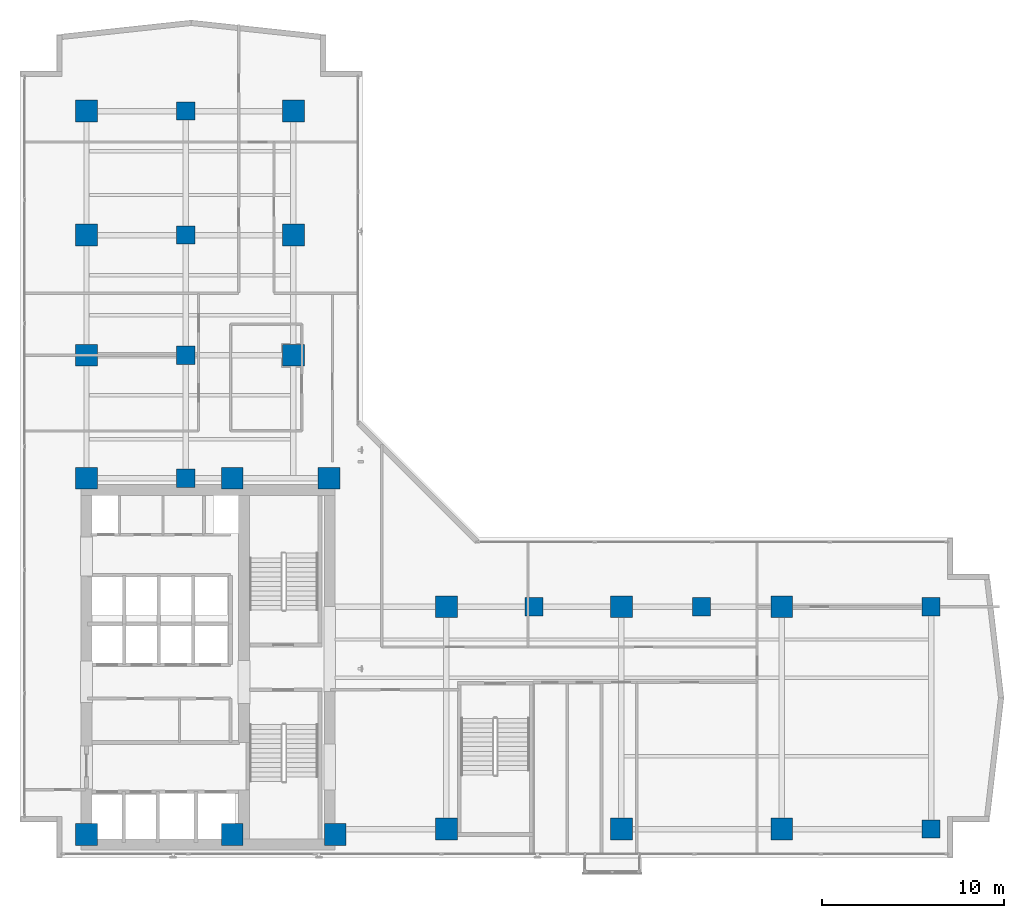
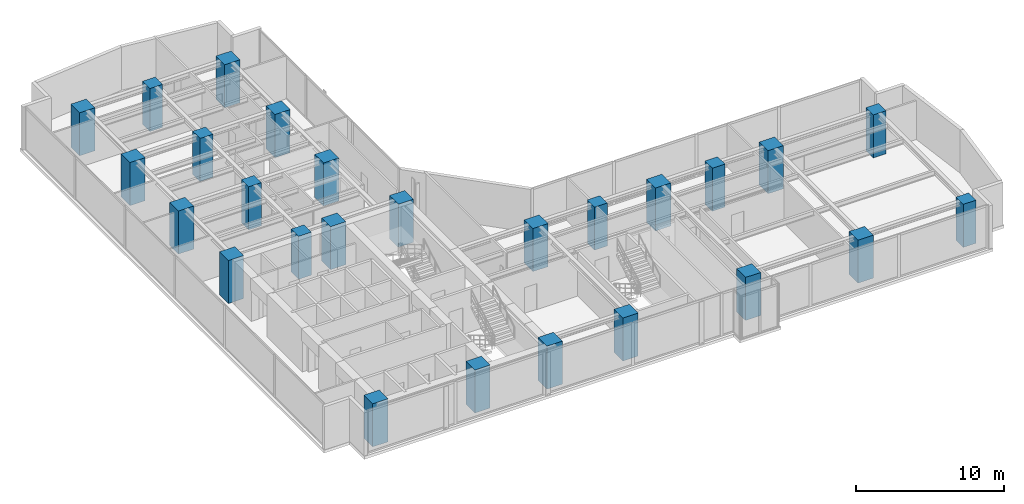
# One storey, part 1 of 27: 26 columns.
"""IFC4 building model written with IfcOpenShell, lengths in metres."""

import ifcopenshell
import ifcopenshell.guid

model = None  # the IFC model being written
_history = None  # IfcOwnerHistory: only IFC2X3 demands one
_inside = {}  # id of a spatial element -> (the spatial element, [elements in it])
_under = {}  # id of a project, library or spatial element -> (it, [spatial elements below it])
_declared = {}  # id of a project -> (the project, [libraries it declares])
_typed = {}  # id of a type object -> (the type object, [elements of that type])
_made_of = {}  # id of a material, layer set ... -> (it, [elements and type objects made of it])


def new_model(schema):
    """Start an empty IFC model of exactly this schema.

    Asked for "IFC4X3", IfcOpenShell would pick the latest addendum, in which some entities
    have other attributes; the version numbers below select the first issue.
    IFC2X3 requires an IfcOwnerHistory on every rooted entity: one is made here for all.
    """
    global model, _history
    if schema == "IFC4X3":
        model = ifcopenshell.file(schema_version=(4, 3, 0, 0))
    else:
        model = ifcopenshell.file(schema=schema)
    _inside.clear()
    _under.clear()
    _declared.clear()
    _typed.clear()
    _made_of.clear()
    _history = None
    if model.schema == "IFC2X3":
        org = make("IfcOrganization", Name="unknown")
        user = make(
            "IfcPersonAndOrganization",
            ThePerson=make("IfcPerson", FamilyName="unknown"),
            TheOrganization=org,
        )
        app = make(
            "IfcApplication",
            ApplicationDeveloper=org,
            Version="unknown",
            ApplicationFullName="unknown",
            ApplicationIdentifier="unknown",
        )
        _history = make(
            "IfcOwnerHistory",
            OwningUser=user,
            OwningApplication=app,
            ChangeAction="ADDED",
            CreationDate=0,
        )
    return model


def make(cls, **values):
    """One entity of the class cls with the attributes given. An attribute that is None is left unset."""
    return model.create_entity(
        cls, **{name: value for name, value in values.items() if value is not None}
    )


def rooted(cls, **values):
    """An entity with a GlobalId (a new one), such as an element, a storey or a relation."""
    return make(cls, GlobalId=ifcopenshell.guid.new(), OwnerHistory=_history, **values)


def si_unit(unit_type, name, prefix=None):
    """IfcSIUnit, for example si_unit("LENGTHUNIT", "METRE", prefix="MILLI")."""
    return make("IfcSIUnit", UnitType=unit_type, Prefix=prefix, Name=name)


def assignment(units):
    """IfcUnitAssignment: the units of a project."""
    return None if units is None else make("IfcUnitAssignment", Units=units)


def point(xyz):
    """IfcCartesianPoint."""
    return None if xyz is None else make("IfcCartesianPoint", Coordinates=xyz)


def direction(xyz):
    """IfcDirection."""
    return None if xyz is None else make("IfcDirection", DirectionRatios=xyz)


def frame(location, z_axis=None, x_axis=None):
    """IfcAxis2Placement3D, a coordinate frame: its origin and axes. An axis left out is left unset."""
    return make(
        "IfcAxis2Placement3D",
        Location=point(location),
        Axis=direction(z_axis),
        RefDirection=direction(x_axis),
    )


def frame_2d(location, x_axis=None):
    """IfcAxis2Placement2D, a coordinate frame in the plane: its origin and x axis."""
    return make(
        "IfcAxis2Placement2D", Location=point(location), RefDirection=direction(x_axis)
    )


def origin():
    """The frame at (0, 0, 0) with its axes left unset."""
    return frame((0.0, 0.0, 0.0))


def origin_2d():
    """The frame at (0, 0) in the plane with its x axis left unset."""
    return frame_2d((0.0, 0.0))


def place(relative_to, where):
    """IfcLocalPlacement: puts the frame where relative to a parent placement (None: the world)."""
    return make(
        "IfcLocalPlacement", PlacementRelTo=relative_to, RelativePlacement=where
    )


def context(
    kind, dimensions, precision=None, world=None, true_north=None, identifier=None
):
    """IfcGeometricRepresentationContext, for example the 3D "Model" context."""
    return make(
        "IfcGeometricRepresentationContext",
        ContextIdentifier=identifier,
        ContextType=kind,
        CoordinateSpaceDimension=dimensions,
        Precision=precision,
        WorldCoordinateSystem=world,
        TrueNorth=true_north,
    )


def subcontext(parent, identifier, kind, view, scale=None):
    """IfcGeometricRepresentationSubContext, for example "Body" below "Model"."""
    return make(
        "IfcGeometricRepresentationSubContext",
        ContextIdentifier=identifier,
        ContextType=kind,
        ParentContext=parent,
        TargetScale=scale,
        TargetView=view,
    )


def project(units=None, contexts=None):
    """IfcProject with its units and contexts."""
    return rooted(
        "IfcProject",
        Name="project",
        RepresentationContexts=contexts,
        UnitsInContext=assignment(units),
    )


def spatial(cls, under=None, at=None, **own):
    """A site, building, storey or space (cls), placed at a placement, below another one or the project."""
    s = rooted(cls, ObjectPlacement=at, **own)
    if under is not None:
        _under.setdefault(under.id(), (under, []))[1].append(s)
    return s


def profile(cls, at=None, kind="AREA", **sizes):
    """A parametric profile (cls). Its sizes go by their IFC names, for example OverallWidth=200.0."""
    return make(cls, ProfileType=kind, Position=at, **sizes)


def rectangle(**sizes):
    """IfcRectangleProfileDef."""
    return profile("IfcRectangleProfileDef", **sizes)


def extrude(swept, where, along, depth):
    """IfcExtrudedAreaSolid: the profile swept, set in the frame where, extruded along a direction by depth."""
    return make(
        "IfcExtrudedAreaSolid",
        SweptArea=swept,
        Position=where,
        ExtrudedDirection=direction(along),
        Depth=depth,
    )


def shape(context_of_items, identifier, shape_type, items):
    """IfcShapeRepresentation: the items that make up one representation, for example the "Body"."""
    return make(
        "IfcShapeRepresentation",
        ContextOfItems=context_of_items,
        RepresentationIdentifier=identifier,
        RepresentationType=shape_type,
        Items=items,
    )


def material(Name=None, Category=None):
    """IfcMaterial."""
    return make("IfcMaterial", Name=Name, Category=Category)


def material_profile(
    of_material, cross_section, Name=None, Category=None, Priority=None
):
    """IfcMaterialProfile: a cross section and its material."""
    return make(
        "IfcMaterialProfile",
        Name=Name,
        Material=of_material,
        Profile=cross_section,
        Priority=Priority,
        Category=Category,
    )


def profile_set(profiles, Name=None, composite=None):
    """IfcMaterialProfileSet."""
    return make(
        "IfcMaterialProfileSet",
        Name=Name,
        MaterialProfiles=profiles,
        CompositeProfile=composite,
    )


def made_of(thing, what):
    """Note that an element or type object is made of a material, layer set ...; save() writes the relation."""
    if what is not None:
        _made_of.setdefault(what.id(), (what, []))[1].append(thing)
    return thing


def type_object(cls, material=None, **own):
    """A type object (cls), such as IfcWallType, which elements share."""
    return made_of(rooted(cls, **own), material)


def element(
    cls,
    number,
    at=None,
    inside=None,
    cuts=None,
    type_object=None,
    material=None,
    context=None,
    identifier="Body",
    shape_type=None,
    held_by="IfcProductDefinitionShape",
    body=None,
    shapes=None,
    **own,
):
    """One element of the class cls, such as IfcWall. Its Tag is "e" and its number.

    at: its placement. inside: the storey or other place that contains it. cuts: it is an
    opening in that element (IfcRelVoidsElement). A single representation is given by context,
    identifier, shape_type and body (its items); several are given by shapes. held_by: the class
    of the entity that holds the representations. save() writes the other relations.
    """
    e = rooted(cls, Tag="e%d" % number, ObjectPlacement=at, **own)
    if body is not None:
        shapes = [shape(context, identifier, shape_type, body)]
    if shapes is not None:
        e.Representation = make(held_by, Representations=shapes)
    if inside is not None:
        _inside.setdefault(inside.id(), (inside, []))[1].append(e)
    if cuts is not None:
        rooted(
            "IfcRelVoidsElement", RelatingBuildingElement=cuts, RelatedOpeningElement=e
        )
    if type_object is not None:
        _typed.setdefault(type_object.id(), (type_object, []))[1].append(e)
    return made_of(e, material)


def aggregate(whole, parts):
    """IfcRelAggregates: a whole, such as a stair, and the parts it consists of."""
    return rooted("IfcRelAggregates", RelatingObject=whole, RelatedObjects=parts)


def save(model, path):
    """Write the relations noted so far, then the file.

    IfcRelAggregates (storeys below a building ...), IfcRelContainedInSpatialStructure (elements
    in a storey), IfcRelDefinesByType, IfcRelAssociatesMaterial and IfcRelDeclares: one each for
    every whole, place, type object, material and project.
    """
    for whole, parts in _under.values():
        aggregate(whole, parts)
    for where, things in _inside.values():
        rooted(
            "IfcRelContainedInSpatialStructure",
            RelatedElements=things,
            RelatingStructure=where,
        )
    for kind, things in _typed.values():
        rooted("IfcRelDefinesByType", RelatedObjects=things, RelatingType=kind)
    for what, things in _made_of.values():
        rooted("IfcRelAssociatesMaterial", RelatedObjects=things, RelatingMaterial=what)
    for by, libraries in _declared.values():
        rooted("IfcRelDeclares", RelatingContext=by, RelatedDefinitions=libraries)
    model.write(path)


model = new_model("IFC4")

# Units and contexts
model_context = context("Model", 3, precision=1e-05, world=origin(), true_north=direction((0.0, 1.0)))
body_context = subcontext(model_context, "Body", "Model", "MODEL_VIEW")
ifc_project = project(units=[si_unit("LENGTHUNIT", "METRE"), si_unit("AREAUNIT", "SQUARE_METRE"), si_unit("VOLUMEUNIT", "CUBIC_METRE"), si_unit("PLANEANGLEUNIT", "RADIAN"), si_unit("MASSUNIT", "GRAM", prefix="KILO")], contexts=[model_context])

# Site, building, storey
site_placement = place(None, origin())
site = spatial("IfcSite", under=ifc_project, at=site_placement, CompositionType="ELEMENT")
building_placement = place(site_placement, origin())
building = spatial("IfcBuilding", under=site, at=building_placement, Name="Kolvaren Waterfront Exchange", CompositionType="ELEMENT")
storey_placement = place(building_placement, frame((0.0, 0.0, 161.39990234375)))
storey = spatial("IfcBuildingStorey", under=building, at=storey_placement, Name="L41", CompositionType="ELEMENT", Elevation=161.39990234375)

# Columns
ifc_material = material(Name="Concrete C60/75", Category="concrete")
ifc_material_profile_1 = material_profile(ifc_material, rectangle(XDim=1.0, YDim=1.0, at=origin_2d()), Name="RC-COL-1000x1000")
ifc_profile_set_1 = profile_set([ifc_material_profile_1], Name="Concrete C60/75")
column_type_1 = type_object("IfcColumnType", Name="STR-COL-1000-C60", PredefinedType="COLUMN", material=ifc_profile_set_1)
for number, where, z_axis, x_axis, name in (
    (1, (53.800048828125, 5.199951171875, 0.0), (0.0, 0.0, 1.0), (1.0, 0.0, 0.0), "L41 column ZC01"),
    (2, (53.800048828125, 17.39990234375, 0.0), (0.0, 0.0, 1.0), (1.0, 0.0, 0.0), "L41 column ZC02"),
    (3, (12.89990234375, 24.449951171875, 0.0), (0.0, 0.0, 1.0), (1.0, 0.0, 0.0), "L41 column TC01"),
    (4, (12.89990234375, 31.199951171875, 0.0), (0.0, 0.0, 1.0), (1.0, 0.0, 0.0), "L41 column TC02"),
    (5, (12.89990234375, 37.800048828125, 0.0), (0.0, 0.0, 1.0), (1.0, 0.0, 0.0), "L41 column TC03"),
    (6, (12.89990234375, 44.60009765625, 0.0), (0.0, 0.0, 1.0), (1.0, 0.0, 0.0), "L41 column TC04"),
    (7, (32.0, 17.39990234375, 0.0), (0.0, 0.0, 1.0), (1.0, 0.0, 0.0), "L41 column TC05"),
    (8, (41.199951171875, 17.39990234375, 0.0), (0.0, 0.0, 1.0), (1.0, 0.0, 0.0), "L41 column TC06"),
):
    element("IfcColumn", number, at=place(storey_placement, frame(where, z_axis=z_axis, x_axis=x_axis)), inside=storey, type_object=column_type_1, Name=name, PredefinedType="COLUMN", context=body_context, shape_type="SweptSolid", body=[
        extrude(rectangle(XDim=1.0, YDim=1.0, at=origin_2d()), origin(), (0.0, 0.0, 1.0), 3.56005859375),
    ])
ifc_material_profile_2 = material_profile(ifc_material, rectangle(XDim=1.199951171875, YDim=1.199951171875, at=origin_2d()), Name="RC-COL-1200x1200")
ifc_profile_set_2 = profile_set([ifc_material_profile_2], Name="Concrete C60/75")
column_type_2 = type_object("IfcColumnType", Name="STR-COL-1200-C60", PredefinedType="COLUMN", material=ifc_profile_set_2)
for number, where, z_axis, x_axis, name in (
    (9, (7.449951171875, 4.89990234375, 0.0), (0.0, 0.0, 1.0), (1.0, 0.0, 0.0), "L41 column MC01"),
    (10, (15.449951171875, 4.89990234375, 0.0), (0.0, 0.0, 1.0), (1.0, 0.0, 0.0), "L41 column MC02"),
    (11, (21.10009765625, 4.89990234375, 0.0), (0.0, 0.0, 1.0), (1.0, 0.0, 0.0), "L41 column MC03"),
    (12, (7.449951171875, 24.449951171875, 0.0), (0.0, 0.0, 1.0), (1.0, 0.0, 0.0), "L41 column MC04"),
    (13, (15.449951171875, 24.449951171875, 0.0), (0.0, 0.0, 1.0), (1.0, 0.0, 0.0), "L41 column MC05"),
    (14, (20.75, 24.449951171875, 0.0), (0.0, 0.0, 1.0), (1.0, 0.0, 0.0), "L41 column MC06"),
    (15, (7.449951171875, 31.199951171875, 0.0), (0.0, 0.0, 1.0), (1.0, 0.0, 0.0), "L41 column NC01"),
    (16, (7.449951171875, 37.800048828125, 0.0), (0.0, 0.0, 1.0), (1.0, 0.0, 0.0), "L41 column NC02"),
    (17, (7.449951171875, 44.60009765625, 0.0), (0.0, 0.0, 1.0), (1.0, 0.0, 0.0), "L41 column NC03"),
    (18, (18.800048828125, 31.199951171875, 0.0), (0.0, 0.0, 1.0), (1.0, 0.0, 0.0), "L41 column NC04"),
    (19, (18.800048828125, 37.800048828125, 0.0), (0.0, 0.0, 1.0), (1.0, 0.0, 0.0), "L41 column NC05"),
    (20, (18.800048828125, 44.60009765625, 0.0), (0.0, 0.0, 1.0), (1.0, 0.0, 0.0), "L41 column NC06"),
    (21, (27.199951171875, 5.199951171875, 0.0), (0.0, 0.0, 1.0), (1.0, 0.0, 0.0), "L41 column EC01"),
    (22, (36.800048828125, 5.199951171875, 0.0), (0.0, 0.0, 1.0), (1.0, 0.0, 0.0), "L41 column EC02"),
    (23, (45.60009765625, 5.199951171875, 0.0), (0.0, 0.0, 1.0), (1.0, 0.0, 0.0), "L41 column EC03"),
    (24, (27.199951171875, 17.39990234375, 0.0), (0.0, 0.0, 1.0), (1.0, 0.0, 0.0), "L41 column EC04"),
    (25, (36.800048828125, 17.39990234375, 0.0), (0.0, 0.0, 1.0), (1.0, 0.0, 0.0), "L41 column EC05"),
    (26, (45.60009765625, 17.39990234375, 0.0), (0.0, 0.0, 1.0), (1.0, 0.0, 0.0), "L41 column EC06"),
):
    element("IfcColumn", number, at=place(storey_placement, frame(where, z_axis=z_axis, x_axis=x_axis)), inside=storey, type_object=column_type_2, Name=name, PredefinedType="COLUMN", context=body_context, shape_type="SweptSolid", body=[
        extrude(rectangle(XDim=1.199951171875, YDim=1.199951171875, at=origin_2d()), origin(), (0.0, 0.0, 1.0), 3.56005859375),
    ])

save(model, "model.ifc")
